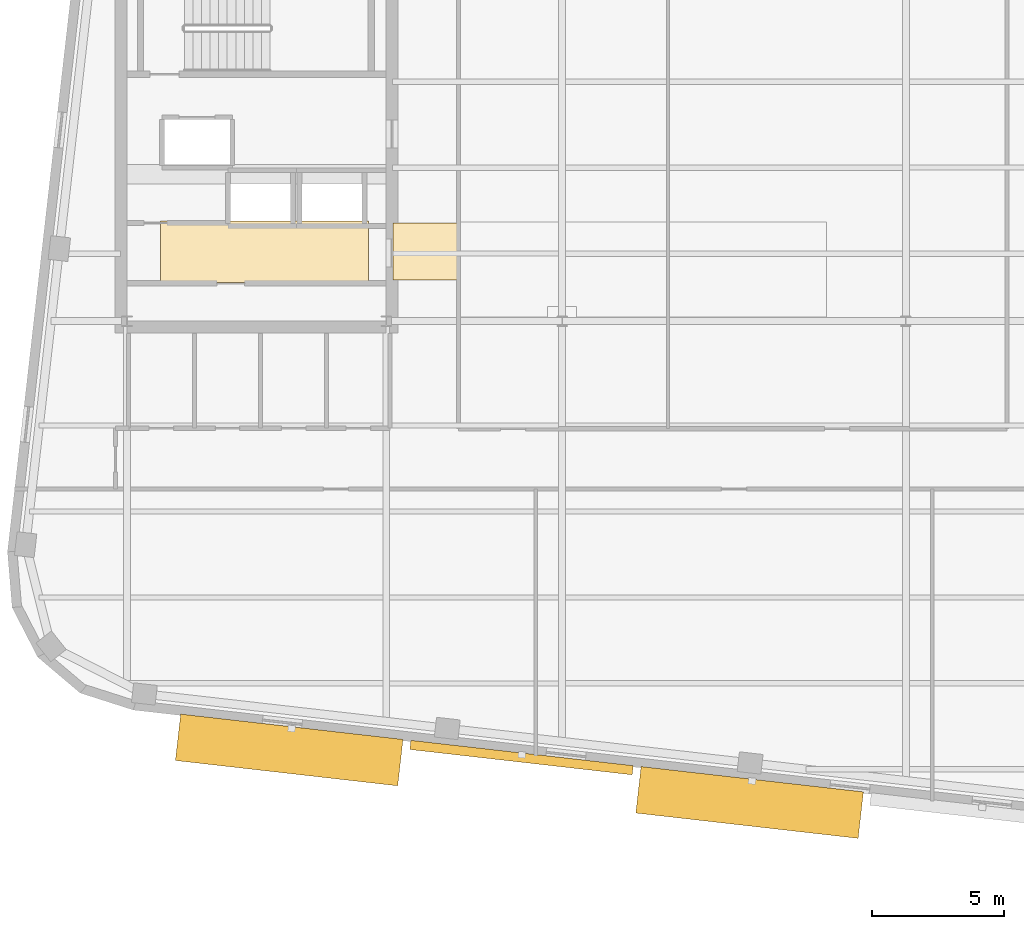
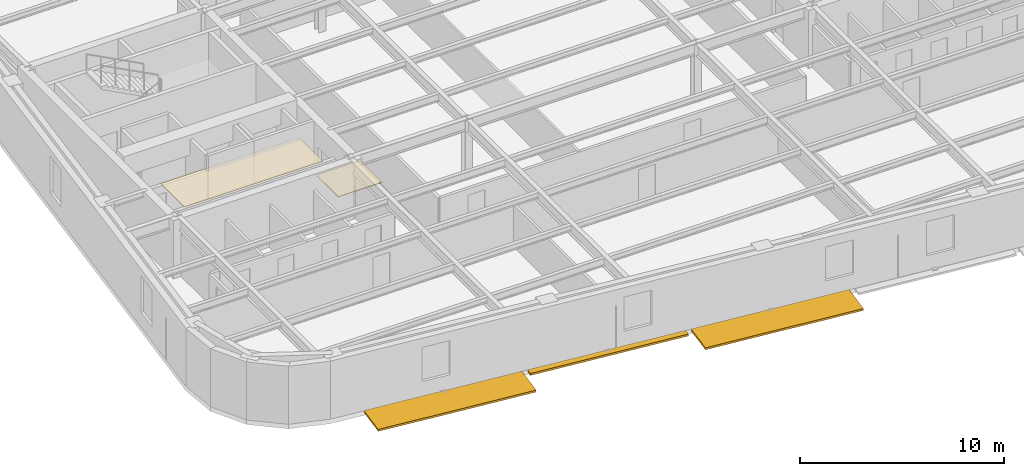
# One storey, part 10 of 13: 3 shading devices, 2 coverings.
"""IFC4 building model written with IfcOpenShell, lengths in metres."""

from ifc_helpers import new_model, si_unit, direction, frame, origin, origin_2d, place, context, subcontext, project, spatial, polyline, rectangle, outline, extrude, material, layer, layer_set, type_object, element, save


model = new_model("IFC4")

# Units and contexts
model_context = context("Model", 3, precision=1e-05, world=origin(), true_north=direction((0.0, 1.0)))
body_context = subcontext(model_context, "Body", "Model", "MODEL_VIEW")
ifc_project = project(units=[si_unit("LENGTHUNIT", "METRE"), si_unit("AREAUNIT", "SQUARE_METRE"), si_unit("VOLUMEUNIT", "CUBIC_METRE"), si_unit("PLANEANGLEUNIT", "RADIAN"), si_unit("MASSUNIT", "GRAM", prefix="KILO")], contexts=[model_context])

# Site, building, storey
site_placement = place(None, origin())
site = spatial("IfcSite", under=ifc_project, at=site_placement, CompositionType="ELEMENT")
building_placement = place(site_placement, origin())
building = spatial("IfcBuilding", under=site, at=building_placement, Name="Kolvaren Arena Tower", CompositionType="ELEMENT")
storey_placement = place(building_placement, frame((0.0, 0.0, 254.699951171875)))
storey = spatial("IfcBuildingStorey", under=building, at=storey_placement, Name="L62", CompositionType="ELEMENT", Elevation=254.699951171875)

# Coverings
ifc_material_1 = material(Name="Moisture-resistant gypsum ceiling", Category="gypsum")
ifc_layer_1 = layer(ifc_material_1, 0.030029296875)
ifc_layer_set_1 = layer_set([ifc_layer_1], Name="Moisture-resistant gypsum ceiling")
covering_type_1 = type_object("IfcCoveringType", Name="CEIL-GYP-1", PredefinedType="CEILING", material=ifc_layer_set_1)
covering_1_placement = place(storey_placement, frame((0.0, 0.0, 2.52001953125)))
element("IfcCovering", 1, at=covering_1_placement, inside=storey, type_object=covering_type_1, Name="Suspended Ceiling (L62)", PredefinedType="CEILING", context=body_context, shape_type="SweptSolid", body=[
    extrude(outline(polyline([(15.820068359375, 20.89990234375), (15.820068359375, 23.239990234375), (23.679931640625, 23.239990234375), (23.679931640625, 20.89990234375), (15.820068359375, 20.89990234375)])), origin(), (0.0, 0.0, 1.0), 0.030029296875),
])
ifc_material_2 = material(Name="Raised access office floor finish", Category="aluminium")
ifc_layer_2 = layer(ifc_material_2, 0.044921875)
ifc_layer_set_2 = layer_set([ifc_layer_2], Name="Raised access office floor finish")
covering_type_2 = type_object("IfcCoveringType", Name="FLOR-RAF-1", PredefinedType="FLOORING", material=ifc_layer_set_2)
covering_2_placement = place(storey_placement, origin())
element("IfcCovering", 2, at=covering_2_placement, inside=storey, type_object=covering_type_2, Name="Floor Finish (L62)", PredefinedType="FLOORING", context=body_context, shape_type="SweptSolid", body=[
    extrude(outline(polyline([(24.60009765625, 21.0), (24.60009765625, 23.14990234375), (27.080078125, 23.14990234375), (27.080078125, 21.0), (24.60009765625, 21.0)])), origin(), (0.0, 0.0, 1.0), 0.045166015625),
])

# Shading devices
ifc_material_3 = material(Name="Architectural precast GFRC and anodised aluminium sunshade", Category="concrete")
shading_device_type_1 = type_object("IfcShadingDeviceType", Name="SHAD-SINE-A", PredefinedType="USERDEFINED", material=ifc_material_3)
shading_device_1_placement = place(storey_placement, frame((29.46728515625, 2.946044921875, -0.139892578125), z_axis=(0.0, 0.0, 1.0), x_axis=(-0.993571658098, 0.113204947878, 0.0)))
element("IfcShadingDevice", 3, at=shading_device_1_placement, inside=storey, type_object=shading_device_type_1, Name="Sinusoidal Slab-Edge Sunshade Louvre (L62)", ObjectType="LOUVRE", PredefinedType="USERDEFINED", context=body_context, shape_type="SweptSolid", body=[
    extrude(rectangle(XDim=8.4599609375, YDim=0.35009765625, at=origin_2d()), origin(), (0.0, 0.0, 1.0), 0.1201171875),
])
shading_device_type_2 = type_object("IfcShadingDeviceType", Name="SHAD-SINE-B", PredefinedType="JALOUSIE", material=ifc_material_3)
shading_device_2_placement = place(storey_placement, frame((38.090576171875, 1.24951171875, -0.139892578125), z_axis=(0.0, 0.0, 1.0), x_axis=(-0.993571658098, 0.113204947878, 0.0)))
element("IfcShadingDevice", 4, at=shading_device_2_placement, inside=storey, type_object=shading_device_type_2, Name="Sinusoidal Slab-Edge Sunshade Louvre (L62)", PredefinedType="JALOUSIE", context=body_context, shape_type="SweptSolid", body=[
    extrude(rectangle(XDim=8.4599609375, YDim=1.768798828125, at=origin_2d()), origin(), (0.0, 0.0, 1.0), 0.1201171875),
])
shading_device_3_placement = place(storey_placement, frame((20.683349609375, 3.23388671875, -0.139892578125), z_axis=(0.0, 0.0, 1.0), x_axis=(-0.993571658098, 0.113204947878, 0.0)))
element("IfcShadingDevice", 5, at=shading_device_3_placement, inside=storey, type_object=shading_device_type_2, Name="Sinusoidal Slab-Edge Sunshade Louvre (L62)", PredefinedType="JALOUSIE", context=body_context, shape_type="SweptSolid", body=[
    extrude(rectangle(XDim=8.4599609375, YDim=1.76708984375, at=origin_2d()), origin(), (0.0, 0.0, 1.0), 0.1201171875),
])

save(model, "model.ifc")
